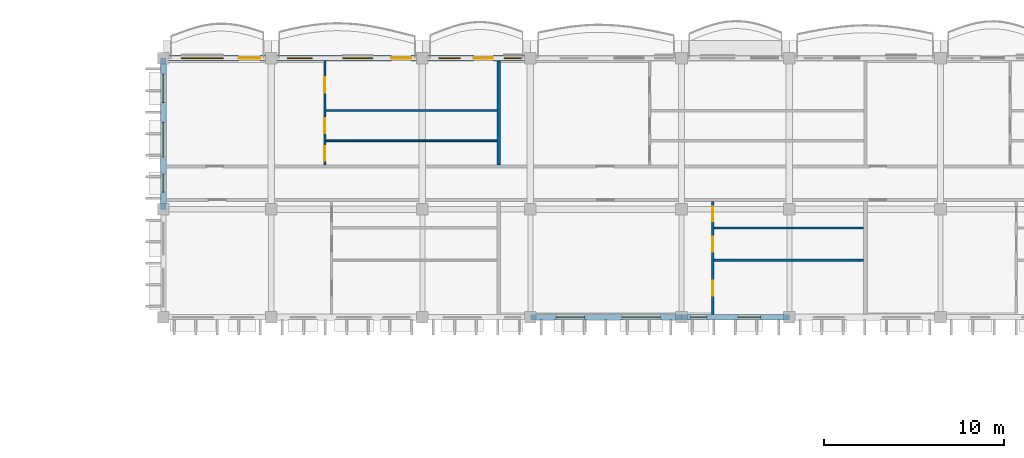
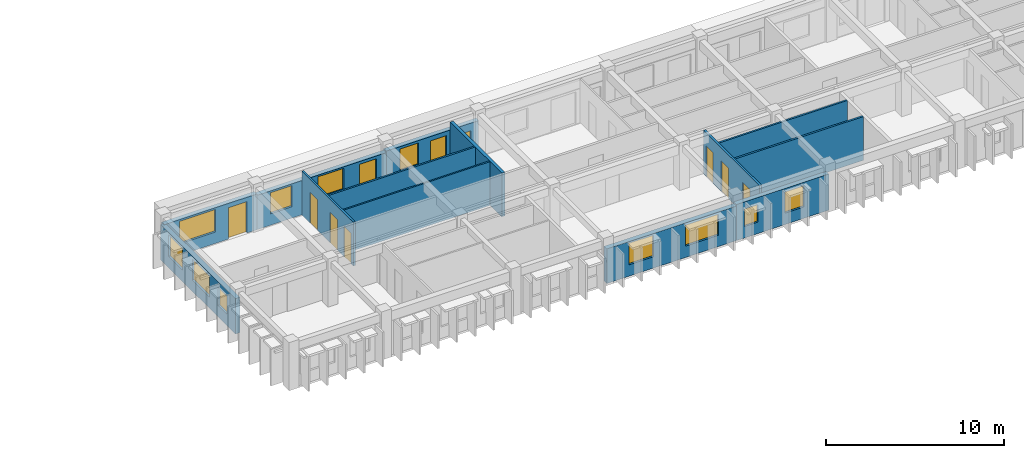
# One storey, part 25 of 66: 13 walls, 12 windows, 9 doors, 21 openings.
"""IFC4 building model written with IfcOpenShell, lengths in metres."""

from ifc_helpers import new_model, si_unit, direction, frame, frame_2d, origin, place, context, subcontext, project, spatial, rectangle, extrude, material, layer, layer_set, type_object, element, fill, save


model = new_model("IFC4")

# Units and contexts
model_context = context("Model", 3, precision=1e-05, world=origin(), true_north=direction((0.0, 1.0)))
body_context = subcontext(model_context, "Body", "Model", "MODEL_VIEW")
ifc_project = project(units=[si_unit("LENGTHUNIT", "METRE"), si_unit("AREAUNIT", "SQUARE_METRE"), si_unit("VOLUMEUNIT", "CUBIC_METRE"), si_unit("PLANEANGLEUNIT", "RADIAN"), si_unit("MASSUNIT", "GRAM", prefix="KILO"), si_unit("THERMODYNAMICTEMPERATUREUNIT", "KELVIN")], contexts=[model_context])

# Site, building, storey
site_placement = place(None, origin())
site = spatial("IfcSite", under=ifc_project, at=site_placement, CompositionType="ELEMENT")
building_placement = place(site_placement, origin())
building = spatial("IfcBuilding", under=site, at=building_placement, Name="Thalorik Housing Commons", CompositionType="ELEMENT")
storey_placement = place(building_placement, frame((0.0, 0.0, 21.300048828125)))
storey = spatial("IfcBuildingStorey", under=building, at=storey_placement, Name="L06", CompositionType="ELEMENT", Elevation=21.300048828125)

# Wall, openings, door, windows
ifc_material_1 = material(Name="White precast concrete C40/50", Category="concrete")
ifc_layer_1 = layer(ifc_material_1, 0.304931640625, Name="White precast concrete C40/50", Category="concrete")
ifc_layer_set_1 = layer_set([ifc_layer_1], Name="White precast concrete C40/50")
wall_type_1 = type_object("IfcWallType", Name="ARC-WAL-EXT-305", PredefinedType="STANDARD", material=ifc_layer_set_1)
wall_1_placement = place(storey_placement, frame((100.800048828125, 123.60009765625, 0.0), z_axis=(0.0, 0.0, 1.0), x_axis=(-1.0, 0.0, 0.0)))
wall_1 = element("IfcWall", 1, at=wall_1_placement, inside=storey, type_object=wall_type_1, Name="L06 Exterior Wall WAL-EXT-L06-B-0609", PredefinedType="STANDARD", context=body_context, shape_type="SweptSolid", body=[
    extrude(rectangle(XDim=6.0, YDim=0.304931640625, at=frame_2d((3.0, 0.0))), origin(), (0.0, 0.0, 1.0), 2.445068359375),
])
opening_1_placement = place(wall_1_placement, frame((2.080078125, 0.0, 0.0)))
opening_1 = element("IfcOpeningElement", 2, at=opening_1_placement, cuts=wall_1, Name="Opening ED-0201", PredefinedType="OPENING", context=body_context, shape_type="SweptSolid", body=[
    extrude(rectangle(XDim=1.050048828125, YDim=2.14990234375, at=frame_2d((0.52490234375, 1.074951171875))), frame((0.0, 0.16259765625, 0.0), z_axis=(0.0, -1.0, 0.0), x_axis=(1.0, 0.0, 0.0)), (0.0, 0.0, 1.0), 0.324951171875),
])
opening_2_placement = place(wall_1_placement, frame((0.4951171875, 0.0, 0.780029296875)))
opening_2 = element("IfcOpeningElement", 3, at=opening_2_placement, cuts=wall_1, Name="Opening W-43", PredefinedType="OPENING", context=body_context, shape_type="SweptSolid", body=[
    extrude(rectangle(XDim=0.949951171875, YDim=1.14990234375, at=frame_2d((0.47509765625, 0.574951171875))), frame((0.0, 0.16259765625, 0.0), z_axis=(0.0, -1.0, 0.0), x_axis=(1.0, 0.0, 0.0)), (0.0, 0.0, 1.0), 0.324951171875),
])
opening_3_placement = place(wall_1_placement, frame((3.89501953125, 0.0, 0.780029296875)))
opening_3 = element("IfcOpeningElement", 4, at=opening_3_placement, cuts=wall_1, Name="Opening W-05", PredefinedType="OPENING", context=body_context, shape_type="SweptSolid", body=[
    extrude(rectangle(XDim=1.199951171875, YDim=1.5, at=frame_2d((0.60009765625, 0.75))), frame((0.0, 0.16259765625, 0.0), z_axis=(0.0, -1.0, 0.0), x_axis=(1.0, 0.0, 0.0)), (0.0, 0.0, 1.0), 0.324951171875),
])
ifc_material_2 = material(Name="Anodised aluminium and laminated safety glass", Category="aluminium")
door_type_1 = type_object("IfcDoorType", Name="ARC-DR-BAL-1050", OperationType="NOTDEFINED", PredefinedType="DOOR", material=ifc_material_2)
door_1_placement = place(opening_1_placement, frame((1.050048828125, 0.0, 0.0), z_axis=(0.0, 0.0, 1.0), x_axis=(-1.0, 0.0, 0.0)))
door_1 = element("IfcDoor", 5, at=door_1_placement, inside=storey, type_object=door_type_1, Name="L06 Block B Balcony Glazed Door", OperationType="SINGLE_SWING_RIGHT", OverallHeight=2.14990234375, OverallWidth=1.050048828125, PredefinedType="DOOR", context=body_context, shape_type="SweptSolid", body=[
    extrude(rectangle(XDim=1.050048828125, YDim=2.14990234375, at=frame_2d((0.52490234375, 1.074951171875))), frame((0.0, 0.02490234375, 0.0), z_axis=(0.0, -1.0, 0.0), x_axis=(1.0, 0.0, 0.0)), (0.0, 0.0, 1.0), 0.050048828125),
])
fill(opening_1, door_1)
ifc_material_3 = material(Name="Anodised aluminium and solar-control low-E glass", Category="aluminium")
window_type_1 = type_object("IfcWindowType", Name="ARC-WIN-05", PartitioningType="SINGLE_PANEL", PredefinedType="WINDOW", material=ifc_material_3)
window_1_placement = place(opening_3_placement, origin())
window_1 = element("IfcWindow", 6, at=window_1_placement, inside=storey, type_object=window_type_1, Name="L06 Facade Window 1104", OverallHeight=1.5, OverallWidth=1.199951171875, PartitioningType="SINGLE_PANEL", PredefinedType="WINDOW", context=body_context, shape_type="SweptSolid", body=[
    extrude(rectangle(XDim=1.199951171875, YDim=1.5, at=frame_2d((0.60009765625, 0.75))), frame((0.0, 0.030029296875, 0.0), z_axis=(0.0, -1.0, 0.0), x_axis=(1.0, 0.0, 0.0)), (0.0, 0.0, 1.0), 0.06005859375),
])
fill(opening_3, window_1)
window_type_2 = type_object("IfcWindowType", Name="ARC-WIN-43", PartitioningType="SINGLE_PANEL", PredefinedType="WINDOW", material=ifc_material_3)
window_2_placement = place(opening_2_placement, origin())
window_2 = element("IfcWindow", 7, at=window_2_placement, inside=storey, type_object=window_type_2, Name="L06 Facade Window 1103", OverallHeight=1.14990234375, OverallWidth=0.949951171875, PartitioningType="SINGLE_PANEL", PredefinedType="WINDOW", context=body_context, shape_type="SweptSolid", body=[
    extrude(rectangle(XDim=0.949951171875, YDim=1.14990234375, at=frame_2d((0.47509765625, 0.574951171875))), frame((0.0, 0.030029296875, 0.0), z_axis=(0.0, -1.0, 0.0), x_axis=(1.0, 0.0, 0.0)), (0.0, 0.0, 1.0), 0.06005859375),
])
fill(opening_2, window_2)

wall_2_placement = place(storey_placement, frame((94.800048828125, 123.60009765625, 0.0), z_axis=(0.0, 0.0, 1.0), x_axis=(-1.0, 0.0, 0.0)))
wall_2 = element("IfcWall", 8, at=wall_2_placement, inside=storey, type_object=wall_type_1, Name="L06 Exterior Wall WAL-EXT-L06-B-0610", PredefinedType="STANDARD", context=body_context, shape_type="SweptSolid", body=[
    extrude(rectangle(XDim=8.400146484375, YDim=0.304931640625, at=frame_2d((4.2001953125, 0.0))), origin(), (0.0, 0.0, 1.0), 2.344970703125),
])
opening_4_placement = place(wall_2_placement, frame((0.6201171875, 0.0, 0.0)))
opening_4 = element("IfcOpeningElement", 9, at=opening_4_placement, cuts=wall_2, Name="Opening ED-0202", PredefinedType="OPENING", context=body_context, shape_type="SweptSolid", body=[
    extrude(rectangle(XDim=1.10009765625, YDim=2.14990234375, at=frame_2d((0.550048828125, 1.074951171875))), frame((0.0, 0.16259765625, 0.0), z_axis=(0.0, -1.0, 0.0), x_axis=(1.0, 0.0, 0.0)), (0.0, 0.0, 1.0), 0.324951171875),
])
opening_5_placement = place(wall_2_placement, frame((2.75341796875, 0.0, 0.780029296875)))
opening_5 = element("IfcOpeningElement", 10, at=opening_5_placement, cuts=wall_2, Name="Opening W-55", PredefinedType="OPENING", context=body_context, shape_type="SweptSolid", body=[
    extrude(rectangle(XDim=1.679931640625, YDim=1.4599609375, at=frame_2d((0.83984375, 0.72998046875))), frame((0.0, 0.16259765625, 0.0), z_axis=(0.0, -1.0, 0.0), x_axis=(1.0, 0.0, 0.0)), (0.0, 0.0, 1.0), 0.324951171875),
])
opening_6_placement = place(wall_2_placement, frame((6.11328125, 0.0, 0.780029296875)))
opening_6 = element("IfcOpeningElement", 11, at=opening_6_placement, cuts=wall_2, Name="Opening W-08", PredefinedType="OPENING", context=body_context, shape_type="SweptSolid", body=[
    extrude(rectangle(XDim=1.39990234375, YDim=1.449951171875, at=frame_2d((0.699951171875, 0.72509765625))), frame((0.0, 0.16259765625, 0.0), z_axis=(0.0, -1.0, 0.0), x_axis=(1.0, 0.0, 0.0)), (0.0, 0.0, 1.0), 0.324951171875),
])
door_type_2 = type_object("IfcDoorType", Name="ARC-DR-BAL-1100", OperationType="NOTDEFINED", PredefinedType="DOOR", material=ifc_material_2)
door_2_placement = place(opening_4_placement, frame((1.10009765625, 0.0, 0.0), z_axis=(0.0, 0.0, 1.0), x_axis=(-1.0, 0.0, 0.0)))
door_2 = element("IfcDoor", 12, at=door_2_placement, inside=storey, type_object=door_type_2, Name="L06 Block B Balcony Glazed Door", OperationType="SINGLE_SWING_LEFT", OverallHeight=2.14990234375, OverallWidth=1.10009765625, PredefinedType="DOOR", context=body_context, shape_type="SweptSolid", body=[
    extrude(rectangle(XDim=1.10009765625, YDim=2.14990234375, at=frame_2d((0.550048828125, 1.074951171875))), frame((0.0, 0.02490234375, 0.0), z_axis=(0.0, -1.0, 0.0), x_axis=(1.0, 0.0, 0.0)), (0.0, 0.0, 1.0), 0.050048828125),
])
fill(opening_4, door_2)
window_type_3 = type_object("IfcWindowType", Name="ARC-WIN-08", PartitioningType="SINGLE_PANEL", PredefinedType="WINDOW", material=ifc_material_3)
window_3_placement = place(opening_6_placement, origin())
window_3 = element("IfcWindow", 13, at=window_3_placement, inside=storey, type_object=window_type_3, Name="L06 Facade Window 1106", OverallHeight=1.449951171875, OverallWidth=1.39990234375, PartitioningType="SINGLE_PANEL", PredefinedType="WINDOW", context=body_context, shape_type="SweptSolid", body=[
    extrude(rectangle(XDim=1.39990234375, YDim=1.449951171875, at=frame_2d((0.699951171875, 0.72509765625))), frame((0.0, 0.030029296875, 0.0), z_axis=(0.0, -1.0, 0.0), x_axis=(1.0, 0.0, 0.0)), (0.0, 0.0, 1.0), 0.06005859375),
])
fill(opening_6, window_3)
window_type_4 = type_object("IfcWindowType", Name="ARC-WIN-55", PartitioningType="DOUBLE_PANEL_VERTICAL", PredefinedType="WINDOW", material=ifc_material_3)
window_4_placement = place(opening_5_placement, origin())
window_4 = element("IfcWindow", 14, at=window_4_placement, inside=storey, type_object=window_type_4, Name="L06 Facade Window 1105", OverallHeight=1.4599609375, OverallWidth=1.679931640625, PartitioningType="DOUBLE_PANEL_VERTICAL", PredefinedType="WINDOW", context=body_context, shape_type="SweptSolid", body=[
    extrude(rectangle(XDim=1.679931640625, YDim=1.4599609375, at=frame_2d((0.83984375, 0.72998046875))), frame((0.0, 0.030029296875, 0.0), z_axis=(0.0, -1.0, 0.0), x_axis=(1.0, 0.0, 0.0)), (0.0, 0.0, 1.0), 0.06005859375),
])
fill(opening_5, window_4)

# Wall, openings, door, window
wall_3_placement = place(storey_placement, frame((86.39990234375, 123.60009765625, 0.0), z_axis=(0.0, 0.0, 1.0), x_axis=(-1.0, 0.0, 0.0)))
wall_3 = element("IfcWall", 15, at=wall_3_placement, inside=storey, type_object=wall_type_1, Name="L06 Exterior Wall WAL-EXT-L06-B-0611", PredefinedType="STANDARD", context=body_context, shape_type="SweptSolid", body=[
    extrude(rectangle(XDim=6.0, YDim=0.304931640625, at=frame_2d((3.0, 0.0))), origin(), (0.0, 0.0, 1.0), 2.445068359375),
])
opening_7_placement = place(wall_3_placement, frame((0.6201171875, 0.0, 0.0)))
opening_7 = element("IfcOpeningElement", 16, at=opening_7_placement, cuts=wall_3, Name="Opening ED-0203", PredefinedType="OPENING", context=body_context, shape_type="SweptSolid", body=[
    extrude(rectangle(XDim=1.199951171875, YDim=2.14990234375, at=frame_2d((0.60009765625, 1.074951171875))), frame((0.0, 0.16259765625, 0.0), z_axis=(0.0, -1.0, 0.0), x_axis=(1.0, 0.0, 0.0)), (0.0, 0.0, 1.0), 0.324951171875),
])
opening_8_placement = place(wall_3_placement, frame((2.6650390625, 0.0, 0.780029296875)))
opening_8 = element("IfcOpeningElement", 17, at=opening_8_placement, cuts=wall_3, Name="Opening W-33", PredefinedType="OPENING", context=body_context, shape_type="SweptSolid", body=[
    extrude(rectangle(XDim=2.35009765625, YDim=1.550048828125, at=frame_2d((1.175048828125, 0.77490234375))), frame((0.0, 0.16259765625, 0.0), z_axis=(0.0, -1.0, 0.0), x_axis=(1.0, 0.0, 0.0)), (0.0, 0.0, 1.0), 0.324951171875),
])
door_type_3 = type_object("IfcDoorType", Name="ARC-DR-BAL-1200", OperationType="NOTDEFINED", PredefinedType="DOOR", material=ifc_material_2)
door_3_placement = place(opening_7_placement, frame((1.199951171875, 0.0, 0.0), z_axis=(0.0, 0.0, 1.0), x_axis=(-1.0, 0.0, 0.0)))
door_3 = element("IfcDoor", 18, at=door_3_placement, inside=storey, type_object=door_type_3, Name="L06 Block B Balcony Glazed Door", OperationType="SINGLE_SWING_RIGHT", OverallHeight=2.14990234375, OverallWidth=1.199951171875, PredefinedType="DOOR", context=body_context, shape_type="SweptSolid", body=[
    extrude(rectangle(XDim=1.199951171875, YDim=2.14990234375, at=frame_2d((0.60009765625, 1.074951171875))), frame((0.0, 0.02490234375, 0.0), z_axis=(0.0, -1.0, 0.0), x_axis=(1.0, 0.0, 0.0)), (0.0, 0.0, 1.0), 0.050048828125),
])
fill(opening_7, door_3)
window_type_5 = type_object("IfcWindowType", Name="ARC-WIN-33", PartitioningType="DOUBLE_PANEL_VERTICAL", PredefinedType="WINDOW", material=ifc_material_3)
window_5_placement = place(opening_8_placement, origin())
window_5 = element("IfcWindow", 19, at=window_5_placement, inside=storey, type_object=window_type_5, Name="L06 Facade Window 1107", OverallHeight=1.550048828125, OverallWidth=2.35009765625, PartitioningType="DOUBLE_PANEL_VERTICAL", PredefinedType="WINDOW", context=body_context, shape_type="SweptSolid", body=[
    extrude(rectangle(XDim=2.35009765625, YDim=1.550048828125, at=frame_2d((1.175048828125, 0.77490234375))), frame((0.0, 0.030029296875, 0.0), z_axis=(0.0, -1.0, 0.0), x_axis=(1.0, 0.0, 0.0)), (0.0, 0.0, 1.0), 0.06005859375),
])
fill(opening_8, window_5)

# Wall, openings, windows
wall_4_placement = place(storey_placement, frame((80.39990234375, 123.60009765625, 0.0), z_axis=(0.0, 0.0, 1.0), x_axis=(0.0, -1.0, 0.0)))
wall_4 = element("IfcWall", 20, at=wall_4_placement, inside=storey, type_object=wall_type_1, Name="L06 Exterior Wall WAL-EXT-L06-B-0612", PredefinedType="STANDARD", context=body_context, shape_type="SweptSolid", body=[
    extrude(rectangle(XDim=8.400146484375, YDim=0.304931640625, at=frame_2d((4.2001953125, 0.0))), origin(), (0.0, 0.0, 1.0), 2.425048828125),
])
opening_9_placement = place(wall_4_placement, frame((0.892578125, 0.0, 0.780029296875)))
opening_9 = element("IfcOpeningElement", 21, at=opening_9_placement, cuts=wall_4, Name="Opening W-53", PredefinedType="OPENING", context=body_context, shape_type="SweptSolid", body=[
    extrude(rectangle(XDim=1.580078125, YDim=1.47998046875, at=frame_2d((0.7900390625, 0.739990234375))), frame((0.0, 0.16259765625, 0.0), z_axis=(0.0, -1.0, 0.0), x_axis=(1.0, 0.0, 0.0)), (0.0, 0.0, 1.0), 0.324951171875),
])
opening_10_placement = place(wall_4_placement, frame((3.5673828125, 0.0, 0.780029296875)))
opening_10 = element("IfcOpeningElement", 22, at=opening_10_placement, cuts=wall_4, Name="Opening W-60", PredefinedType="OPENING", context=body_context, shape_type="SweptSolid", body=[
    extrude(rectangle(XDim=1.919921875, YDim=1.43994140625, at=frame_2d((0.9599609375, 0.719970703125))), frame((0.0, 0.16259765625, 0.0), z_axis=(0.0, -1.0, 0.0), x_axis=(1.0, 0.0, 0.0)), (0.0, 0.0, 1.0), 0.324951171875),
])
opening_11_placement = place(wall_4_placement, frame((6.449951171875, 0.0, 0.780029296875)))
opening_11 = element("IfcOpeningElement", 23, at=opening_11_placement, cuts=wall_4, Name="Opening W-02", PredefinedType="OPENING", context=body_context, shape_type="SweptSolid", body=[
    extrude(rectangle(XDim=1.0, YDim=1.25, at=frame_2d((0.5, 0.625))), frame((0.0, 0.16259765625, 0.0), z_axis=(0.0, -1.0, 0.0), x_axis=(1.0, 0.0, 0.0)), (0.0, 0.0, 1.0), 0.324951171875),
])
window_type_6 = type_object("IfcWindowType", Name="ARC-WIN-02", PartitioningType="SINGLE_PANEL", PredefinedType="WINDOW", material=ifc_material_3)
window_6_placement = place(opening_11_placement, origin())
window_6 = element("IfcWindow", 24, at=window_6_placement, inside=storey, type_object=window_type_6, Name="L06 Facade Window 1110", OverallHeight=1.25, OverallWidth=1.0, PartitioningType="SINGLE_PANEL", PredefinedType="WINDOW", context=body_context, shape_type="SweptSolid", body=[
    extrude(rectangle(XDim=1.0, YDim=1.25, at=frame_2d((0.5, 0.625))), frame((0.0, 0.030029296875, 0.0), z_axis=(0.0, -1.0, 0.0), x_axis=(1.0, 0.0, 0.0)), (0.0, 0.0, 1.0), 0.06005859375),
])
fill(opening_11, window_6)
window_type_7 = type_object("IfcWindowType", Name="ARC-WIN-53", PartitioningType="SINGLE_PANEL", PredefinedType="WINDOW", material=ifc_material_3)
window_7_placement = place(opening_9_placement, origin())
window_7 = element("IfcWindow", 25, at=window_7_placement, inside=storey, type_object=window_type_7, Name="L06 Facade Window 1108", OverallHeight=1.47998046875, OverallWidth=1.580078125, PartitioningType="SINGLE_PANEL", PredefinedType="WINDOW", context=body_context, shape_type="SweptSolid", body=[
    extrude(rectangle(XDim=1.580078125, YDim=1.47998046875, at=frame_2d((0.7900390625, 0.739990234375))), frame((0.0, 0.030029296875, 0.0), z_axis=(0.0, -1.0, 0.0), x_axis=(1.0, 0.0, 0.0)), (0.0, 0.0, 1.0), 0.06005859375),
])
fill(opening_9, window_7)
window_type_8 = type_object("IfcWindowType", Name="ARC-WIN-60", PartitioningType="DOUBLE_PANEL_VERTICAL", PredefinedType="WINDOW", material=ifc_material_3)
window_8_placement = place(opening_10_placement, origin())
window_8 = element("IfcWindow", 26, at=window_8_placement, inside=storey, type_object=window_type_8, Name="L06 Facade Window 1109", OverallHeight=1.43994140625, OverallWidth=1.919921875, PartitioningType="DOUBLE_PANEL_VERTICAL", PredefinedType="WINDOW", context=body_context, shape_type="SweptSolid", body=[
    extrude(rectangle(XDim=1.919921875, YDim=1.43994140625, at=frame_2d((0.9599609375, 0.719970703125))), frame((0.0, 0.030029296875, 0.0), z_axis=(0.0, -1.0, 0.0), x_axis=(1.0, 0.0, 0.0)), (0.0, 0.0, 1.0), 0.06005859375),
])
fill(opening_10, window_8)

wall_5_placement = place(storey_placement, frame((100.800048828125, 109.199951171875, 0.0), z_axis=(0.0, 0.0, 1.0), x_axis=(1.0, 0.0, 0.0)))
wall_5 = element("IfcWall", 27, at=wall_5_placement, inside=storey, type_object=wall_type_1, Name="L06 Exterior Wall WAL-EXT-L06-B-0617", PredefinedType="STANDARD", context=body_context, shape_type="SweptSolid", body=[
    extrude(rectangle(XDim=8.39990234375, YDim=0.304931640625, at=frame_2d((4.199951171875, 0.0))), origin(), (0.0, 0.0, 1.0), 2.375),
])
opening_12_placement = place(wall_5_placement, frame((1.43994140625, 0.0, 0.780029296875)))
opening_12 = element("IfcOpeningElement", 28, at=opening_12_placement, cuts=wall_5, Name="Opening W-53", PredefinedType="OPENING", context=body_context, shape_type="SweptSolid", body=[
    extrude(rectangle(XDim=1.580078125, YDim=1.47998046875, at=frame_2d((0.7900390625, 0.739990234375))), frame((0.0, 0.16259765625, 0.0), z_axis=(0.0, -1.0, 0.0), x_axis=(1.0, 0.0, 0.0)), (0.0, 0.0, 1.0), 0.324951171875),
])
opening_13_placement = place(wall_5_placement, frame((5.110107421875, 0.0, 0.780029296875)))
opening_13 = element("IfcOpeningElement", 29, at=opening_13_placement, cuts=wall_5, Name="Opening W-64", PredefinedType="OPENING", context=body_context, shape_type="SweptSolid", body=[
    extrude(rectangle(XDim=2.1201171875, YDim=1.43994140625, at=frame_2d((1.06005859375, 0.719970703125))), frame((0.0, 0.16259765625, 0.0), z_axis=(0.0, -1.0, 0.0), x_axis=(1.0, 0.0, 0.0)), (0.0, 0.0, 1.0), 0.324951171875),
])
window_9_placement = place(opening_12_placement, origin())
window_9 = element("IfcWindow", 30, at=window_9_placement, inside=storey, type_object=window_type_7, Name="L06 Facade Window 1120", OverallHeight=1.47998046875, OverallWidth=1.580078125, PartitioningType="SINGLE_PANEL", PredefinedType="WINDOW", context=body_context, shape_type="SweptSolid", body=[
    extrude(rectangle(XDim=1.580078125, YDim=1.47998046875, at=frame_2d((0.7900390625, 0.739990234375))), frame((0.0, 0.030029296875, 0.0), z_axis=(0.0, -1.0, 0.0), x_axis=(1.0, 0.0, 0.0)), (0.0, 0.0, 1.0), 0.06005859375),
])
fill(opening_12, window_9)
window_type_9 = type_object("IfcWindowType", Name="ARC-WIN-64", PartitioningType="DOUBLE_PANEL_VERTICAL", PredefinedType="WINDOW", material=ifc_material_3)
window_10_placement = place(opening_13_placement, origin())
window_10 = element("IfcWindow", 31, at=window_10_placement, inside=storey, type_object=window_type_9, Name="L06 Facade Window 1121", OverallHeight=1.43994140625, OverallWidth=2.1201171875, PartitioningType="DOUBLE_PANEL_VERTICAL", PredefinedType="WINDOW", context=body_context, shape_type="SweptSolid", body=[
    extrude(rectangle(XDim=2.1201171875, YDim=1.43994140625, at=frame_2d((1.06005859375, 0.719970703125))), frame((0.0, 0.030029296875, 0.0), z_axis=(0.0, -1.0, 0.0), x_axis=(1.0, 0.0, 0.0)), (0.0, 0.0, 1.0), 0.06005859375),
])
fill(opening_13, window_10)

wall_6_placement = place(storey_placement, frame((109.199951171875, 109.199951171875, 0.0), z_axis=(0.0, 0.0, 1.0), x_axis=(1.0, 0.0, 0.0)))
wall_6 = element("IfcWall", 32, at=wall_6_placement, inside=storey, type_object=wall_type_1, Name="L06 Exterior Wall WAL-EXT-L06-B-0618", PredefinedType="STANDARD", context=body_context, shape_type="SweptSolid", body=[
    extrude(rectangle(XDim=6.0, YDim=0.304931640625, at=frame_2d((3.0, 0.0))), origin(), (0.0, 0.0, 1.0), 2.474853515625),
])
opening_14_placement = place(wall_6_placement, frame((0.514892578125, 0.0, 0.780029296875)))
opening_14 = element("IfcOpeningElement", 33, at=opening_14_placement, cuts=wall_6, Name="Opening W-01", PredefinedType="OPENING", context=body_context, shape_type="SweptSolid", body=[
    extrude(rectangle(XDim=0.89990234375, YDim=1.199951171875, at=frame_2d((0.449951171875, 0.60009765625))), frame((0.0, 0.16259765625, 0.0), z_axis=(0.0, -1.0, 0.0), x_axis=(1.0, 0.0, 0.0)), (0.0, 0.0, 1.0), 0.324951171875),
])
opening_15_placement = place(wall_6_placement, frame((3.14990234375, 0.0, 0.780029296875)))
opening_15 = element("IfcOpeningElement", 34, at=opening_15_placement, cuts=wall_6, Name="Opening W-47", PredefinedType="OPENING", context=body_context, shape_type="SweptSolid", body=[
    extrude(rectangle(XDim=1.25, YDim=1.449951171875, at=frame_2d((0.625, 0.72509765625))), frame((0.0, 0.16259765625, 0.0), z_axis=(0.0, -1.0, 0.0), x_axis=(1.0, 0.0, 0.0)), (0.0, 0.0, 1.0), 0.324951171875),
])
window_type_10 = type_object("IfcWindowType", Name="ARC-WIN-01", PartitioningType="SINGLE_PANEL", PredefinedType="WINDOW", material=ifc_material_3)
window_11_placement = place(opening_14_placement, origin())
window_11 = element("IfcWindow", 35, at=window_11_placement, inside=storey, type_object=window_type_10, Name="L06 Facade Window 1122", OverallHeight=1.199951171875, OverallWidth=0.89990234375, PartitioningType="SINGLE_PANEL", PredefinedType="WINDOW", context=body_context, shape_type="SweptSolid", body=[
    extrude(rectangle(XDim=0.89990234375, YDim=1.199951171875, at=frame_2d((0.449951171875, 0.60009765625))), frame((0.0, 0.030029296875, 0.0), z_axis=(0.0, -1.0, 0.0), x_axis=(1.0, 0.0, 0.0)), (0.0, 0.0, 1.0), 0.06005859375),
])
fill(opening_14, window_11)
window_type_11 = type_object("IfcWindowType", Name="ARC-WIN-47", PartitioningType="SINGLE_PANEL", PredefinedType="WINDOW", material=ifc_material_3)
window_12_placement = place(opening_15_placement, origin())
window_12 = element("IfcWindow", 36, at=window_12_placement, inside=storey, type_object=window_type_11, Name="L06 Facade Window 1123", OverallHeight=1.449951171875, OverallWidth=1.25, PartitioningType="SINGLE_PANEL", PredefinedType="WINDOW", context=body_context, shape_type="SweptSolid", body=[
    extrude(rectangle(XDim=1.25, YDim=1.449951171875, at=frame_2d((0.625, 0.72509765625))), frame((0.0, 0.030029296875, 0.0), z_axis=(0.0, -1.0, 0.0), x_axis=(1.0, 0.0, 0.0)), (0.0, 0.0, 1.0), 0.06005859375),
])
fill(opening_15, window_12)

# Walls
ifc_material_4 = material(Name="Gypsum light stud partition", Category="masonry")
ifc_layer_2 = layer(ifc_material_4, 0.10009765625, Name="Gypsum light stud partition", Category="masonry")
ifc_layer_set_2 = layer_set([ifc_layer_2], Name="Gypsum light stud partition")
wall_type_2 = type_object("IfcWallType", Name="ARC-WAL-PART-100", PredefinedType="PARTITIONING", material=ifc_layer_set_2)
wall_7_placement = place(storey_placement, frame((89.44775390625, 119.010498046875, 0.0), z_axis=(0.0, 0.0, 1.0), x_axis=(1.0, 0.0, 0.0)))
element("IfcWall", 37, at=wall_7_placement, inside=storey, type_object=wall_type_2, Name="L06 Unit 1B Wet Wall", PredefinedType="PARTITIONING", context=body_context, shape_type="SweptSolid", body=[
    extrude(rectangle(XDim=9.500244140625, YDim=0.10009765625, at=frame_2d((4.75, 0.0))), origin(), (0.0, 0.0, 1.0), 3.0),
])
ifc_material_5 = material(Name="Gypsum moisture-resistant partition", Category="masonry")
ifc_layer_3 = layer(ifc_material_5, 0.114990234375, Name="Gypsum moisture-resistant partition", Category="masonry")
ifc_layer_set_3 = layer_set([ifc_layer_3], Name="Gypsum moisture-resistant partition")
wall_type_3 = type_object("IfcWallType", Name="ARC-WAL-PART-115", PredefinedType="PARTITIONING", material=ifc_layer_set_3)
wall_8_placement = place(storey_placement, frame((89.44775390625, 120.67919921875, 0.0), z_axis=(0.0, 0.0, 1.0), x_axis=(1.0, 0.0, 0.0)))
element("IfcWall", 38, at=wall_8_placement, inside=storey, type_object=wall_type_3, Name="L06 Unit 1B Bedroom Partition", PredefinedType="PARTITIONING", context=body_context, shape_type="SweptSolid", body=[
    extrude(rectangle(XDim=9.500244140625, YDim=0.114990234375, at=frame_2d((4.75, 0.0))), origin(), (0.0, 0.0, 1.0), 3.0),
])
wall_9_placement = place(storey_placement, frame((111.011962890625, 114.169677734375, 0.0), z_axis=(0.0, 0.0, 1.0), x_axis=(1.0, 0.0, 0.0)))
element("IfcWall", 39, at=wall_9_placement, inside=storey, type_object=wall_type_3, Name="L06 Unit 2 Wet Wall", PredefinedType="PARTITIONING", context=body_context, shape_type="SweptSolid", body=[
    extrude(rectangle(XDim=8.30615234375, YDim=0.114990234375, at=frame_2d((4.153076171875, 0.0))), origin(), (0.0, 0.0, 1.0), 3.0),
])

# Wall, openings, doors
ifc_material_6 = material(Name="Gypsum acoustic stud partition", Category="masonry")
ifc_layer_4 = layer(ifc_material_6, 0.125, Name="Gypsum acoustic stud partition", Category="masonry")
ifc_layer_set_4 = layer_set([ifc_layer_4], Name="Gypsum acoustic stud partition")
wall_type_4 = type_object("IfcWallType", Name="ARC-WAL-PART-125", PredefinedType="PARTITIONING", material=ifc_layer_set_4)
wall_10_placement = place(storey_placement, frame((89.38330078125, 117.656982421875, 0.0), z_axis=(0.0, 0.0, 1.0), x_axis=(0.0, 1.0, 0.0)))
wall_10 = element("IfcWall", 40, at=wall_10_placement, inside=storey, type_object=wall_type_4, Name="L06 Unit 1B Spine Partition", PredefinedType="PARTITIONING", context=body_context, shape_type="SweptSolid", body=[
    extrude(rectangle(XDim=5.78857421875, YDim=0.125, at=frame_2d((2.894287109375, 0.0))), origin(), (0.0, 0.0, 1.0), 3.0),
])
opening_16_placement = place(wall_10_placement, frame((0.23828125, 0.0, 0.0)))
opening_16 = element("IfcOpeningElement", 41, at=opening_16_placement, cuts=wall_10, Name="Opening ID-1224", PredefinedType="OPENING", context=body_context, shape_type="SweptSolid", body=[
    extrude(rectangle(XDim=0.800048828125, YDim=2.10009765625, at=frame_2d((0.39990234375, 1.050048828125))), frame((0.0, 0.072509765625, 0.0), z_axis=(0.0, -1.0, 0.0), x_axis=(1.0, 0.0, 0.0)), (0.0, 0.0, 1.0), 0.14501953125),
])
opening_17_placement = place(wall_10_placement, frame((1.7626953125, 0.0, 0.0)))
opening_17 = element("IfcOpeningElement", 42, at=opening_17_placement, cuts=wall_10, Name="Opening ID-1225", PredefinedType="OPENING", context=body_context, shape_type="SweptSolid", body=[
    extrude(rectangle(XDim=0.85009765625, YDim=2.10009765625, at=frame_2d((0.425048828125, 1.050048828125))), frame((0.0, 0.072509765625, 0.0), z_axis=(0.0, -1.0, 0.0), x_axis=(1.0, 0.0, 0.0)), (0.0, 0.0, 1.0), 0.14501953125),
])
opening_18_placement = place(wall_10_placement, frame((4.027587890625, 0.0, 0.0)))
opening_18 = element("IfcOpeningElement", 43, at=opening_18_placement, cuts=wall_10, Name="Opening ID-1226", PredefinedType="OPENING", context=body_context, shape_type="SweptSolid", body=[
    extrude(rectangle(XDim=0.85009765625, YDim=2.10009765625, at=frame_2d((0.425048828125, 1.050048828125))), frame((0.0, 0.072509765625, 0.0), z_axis=(0.0, -1.0, 0.0), x_axis=(1.0, 0.0, 0.0)), (0.0, 0.0, 1.0), 0.14501953125),
])
ifc_material_7 = material(Name="Moisture-resistant timber", Category="wood")
door_type_4 = type_object("IfcDoorType", Name="ARC-DR-INT-800", OperationType="NOTDEFINED", PredefinedType="DOOR", material=ifc_material_7)
door_4_placement = place(opening_16_placement, origin())
door_4 = element("IfcDoor", 44, at=door_4_placement, inside=storey, type_object=door_type_4, Name="L06 Accessible Bathroom Door", OperationType="SINGLE_SWING_LEFT", OverallHeight=2.10009765625, OverallWidth=0.800048828125, PredefinedType="DOOR", context=body_context, shape_type="SweptSolid", body=[
    extrude(rectangle(XDim=0.800048828125, YDim=2.10009765625, at=frame_2d((0.39990234375, 1.050048828125))), frame((0.0, 0.02490234375, 0.0), z_axis=(0.0, -1.0, 0.0), x_axis=(1.0, 0.0, 0.0)), (0.0, 0.0, 1.0), 0.050048828125),
])
fill(opening_16, door_4)
ifc_material_8 = material(Name="Engineered oak timber", Category="wood")
door_type_5 = type_object("IfcDoorType", Name="ARC-DR-INT-850", OperationType="NOTDEFINED", PredefinedType="DOOR", material=ifc_material_8)
door_5_placement = place(opening_17_placement, origin())
door_5 = element("IfcDoor", 45, at=door_5_placement, inside=storey, type_object=door_type_5, Name="L06 Eat-In Kitchen Door", OperationType="SINGLE_SWING_RIGHT", OverallHeight=2.10009765625, OverallWidth=0.85009765625, PredefinedType="DOOR", context=body_context, shape_type="SweptSolid", body=[
    extrude(rectangle(XDim=0.85009765625, YDim=2.10009765625, at=frame_2d((0.425048828125, 1.050048828125))), frame((0.0, 0.02490234375, 0.0), z_axis=(0.0, -1.0, 0.0), x_axis=(1.0, 0.0, 0.0)), (0.0, 0.0, 1.0), 0.050048828125),
])
fill(opening_17, door_5)
door_6_placement = place(opening_18_placement, origin())
door_6 = element("IfcDoor", 46, at=door_6_placement, inside=storey, type_object=door_type_5, Name="L06 Single Bedroom Door", OperationType="SINGLE_SWING_LEFT", OverallHeight=2.10009765625, OverallWidth=0.85009765625, PredefinedType="DOOR", context=body_context, shape_type="SweptSolid", body=[
    extrude(rectangle(XDim=0.85009765625, YDim=2.10009765625, at=frame_2d((0.425048828125, 1.050048828125))), frame((0.0, 0.02490234375, 0.0), z_axis=(0.0, -1.0, 0.0), x_axis=(1.0, 0.0, 0.0)), (0.0, 0.0, 1.0), 0.050048828125),
])
fill(opening_18, door_6)

# Wall
wall_11_placement = place(storey_placement, frame((111.011962890625, 112.36083984375, 0.0), z_axis=(0.0, 0.0, 1.0), x_axis=(1.0, 0.0, 0.0)))
element("IfcWall", 47, at=wall_11_placement, inside=storey, type_object=wall_type_4, Name="L06 Unit 2 Bedroom Partition", PredefinedType="PARTITIONING", context=body_context, shape_type="SweptSolid", body=[
    extrude(rectangle(XDim=8.30615234375, YDim=0.125, at=frame_2d((4.153076171875, 0.0))), origin(), (0.0, 0.0, 1.0), 3.0),
])

# Wall, openings, doors
ifc_material_9 = material(Name="Ceramic masonry partition wall", Category="masonry")
ifc_layer_5 = layer(ifc_material_9, 0.139892578125, Name="Ceramic masonry partition wall", Category="masonry")
ifc_layer_set_5 = layer_set([ifc_layer_5], Name="Ceramic masonry partition wall")
wall_type_5 = type_object("IfcWallType", Name="ARC-WAL-PART-140", PredefinedType="PARTITIONING", material=ifc_layer_set_5)
wall_12_placement = place(storey_placement, frame((110.93994140625, 109.3544921875, 0.0), z_axis=(0.0, 0.0, 1.0), x_axis=(0.0, 1.0, 0.0)))
wall_12 = element("IfcWall", 48, at=wall_12_placement, inside=storey, type_object=wall_type_5, Name="L06 Unit 2 Spine Partition", PredefinedType="PARTITIONING", context=body_context, shape_type="SweptSolid", body=[
    extrude(rectangle(XDim=6.281005859375, YDim=0.139892578125, at=frame_2d((3.140625, 0.0))), origin(), (0.0, 0.0, 1.0), 3.0),
])
opening_19_placement = place(wall_12_placement, frame((1.031005859375, 0.0, 0.0)))
opening_19 = element("IfcOpeningElement", 49, at=opening_19_placement, cuts=wall_12, Name="Opening ID-1227", PredefinedType="OPENING", context=body_context, shape_type="SweptSolid", body=[
    extrude(rectangle(XDim=0.85009765625, YDim=2.10009765625, at=frame_2d((0.425048828125, 1.050048828125))), frame((0.0, 0.080078125, 0.0), z_axis=(0.0, -1.0, 0.0), x_axis=(1.0, 0.0, 0.0)), (0.0, 0.0, 1.0), 0.159912109375),
])
opening_20_placement = place(wall_12_placement, frame((3.485595703125, 0.0, 0.0)))
opening_20 = element("IfcOpeningElement", 50, at=opening_20_placement, cuts=wall_12, Name="Opening ID-1228", PredefinedType="OPENING", context=body_context, shape_type="SweptSolid", body=[
    extrude(rectangle(XDim=0.820068359375, YDim=2.080078125, at=frame_2d((0.41015625, 1.0400390625))), frame((0.0, 0.080078125, 0.0), z_axis=(0.0, -1.0, 0.0), x_axis=(1.0, 0.0, 0.0)), (0.0, 0.0, 1.0), 0.159912109375),
])
opening_21_placement = place(wall_12_placement, frame((5.190185546875, 0.0, 0.0)))
opening_21 = element("IfcOpeningElement", 51, at=opening_21_placement, cuts=wall_12, Name="Opening ID-1229", PredefinedType="OPENING", context=body_context, shape_type="SweptSolid", body=[
    extrude(rectangle(XDim=0.800048828125, YDim=2.10009765625, at=frame_2d((0.39990234375, 1.050048828125))), frame((0.0, 0.080078125, 0.0), z_axis=(0.0, -1.0, 0.0), x_axis=(1.0, 0.0, 0.0)), (0.0, 0.0, 1.0), 0.159912109375),
])
door_7_placement = place(opening_21_placement, origin())
door_7 = element("IfcDoor", 52, at=door_7_placement, inside=storey, type_object=door_type_4, Name="L06 Flat Bathroom Door", OperationType="SINGLE_SWING_RIGHT", OverallHeight=2.10009765625, OverallWidth=0.800048828125, PredefinedType="DOOR", context=body_context, shape_type="SweptSolid", body=[
    extrude(rectangle(XDim=0.800048828125, YDim=2.10009765625, at=frame_2d((0.39990234375, 1.050048828125))), frame((0.0, 0.02490234375, 0.0), z_axis=(0.0, -1.0, 0.0), x_axis=(1.0, 0.0, 0.0)), (0.0, 0.0, 1.0), 0.050048828125),
])
fill(opening_21, door_7)
door_type_6 = type_object("IfcDoorType", Name="ARC-DR-INT-820", OperationType="NOTDEFINED", PredefinedType="DOOR", material=ifc_material_8)
door_8_placement = place(opening_20_placement, origin())
door_8 = element("IfcDoor", 53, at=door_8_placement, inside=storey, type_object=door_type_6, Name="L06 Galley Kitchen Door", OperationType="SINGLE_SWING_LEFT", OverallHeight=2.080078125, OverallWidth=0.820068359375, PredefinedType="DOOR", context=body_context, shape_type="SweptSolid", body=[
    extrude(rectangle(XDim=0.820068359375, YDim=2.080078125, at=frame_2d((0.41015625, 1.0400390625))), frame((0.0, 0.02490234375, 0.0), z_axis=(0.0, -1.0, 0.0), x_axis=(1.0, 0.0, 0.0)), (0.0, 0.0, 1.0), 0.050048828125),
])
fill(opening_20, door_8)
door_9_placement = place(opening_19_placement, origin())
door_9 = element("IfcDoor", 54, at=door_9_placement, inside=storey, type_object=door_type_5, Name="L06 Double Bedroom Door", OperationType="SINGLE_SWING_RIGHT", OverallHeight=2.10009765625, OverallWidth=0.85009765625, PredefinedType="DOOR", context=body_context, shape_type="SweptSolid", body=[
    extrude(rectangle(XDim=0.85009765625, YDim=2.10009765625, at=frame_2d((0.425048828125, 1.050048828125))), frame((0.0, 0.02490234375, 0.0), z_axis=(0.0, -1.0, 0.0), x_axis=(1.0, 0.0, 0.0)), (0.0, 0.0, 1.0), 0.050048828125),
])
fill(opening_19, door_9)

# Wall
ifc_material_10 = material(Name="Precast concrete C40/50 acoustic wall", Category="concrete")
ifc_layer_6 = layer(ifc_material_10, 0.199951171875, Name="Precast concrete C40/50 acoustic wall", Category="concrete")
ifc_layer_set_6 = layer_set([ifc_layer_6], Name="Precast concrete C40/50 acoustic wall")
wall_type_6 = type_object("IfcWallType", Name="ARC-WAL-PARTY-200", PredefinedType="PARTITIONING", material=ifc_layer_set_6)
wall_13_placement = place(storey_placement, frame((99.050048828125, 117.656982421875, 0.0), z_axis=(0.0, 0.0, 1.0), x_axis=(0.0, 1.0, 0.0)))
element("IfcWall", 55, at=wall_13_placement, inside=storey, type_object=wall_type_6, Name="L06 Inter-Tenancy Wall 1B", PredefinedType="PARTITIONING", context=body_context, shape_type="SweptSolid", body=[
    extrude(rectangle(XDim=5.78857421875, YDim=0.199951171875, at=frame_2d((2.894287109375, 0.0))), origin(), (0.0, 0.0, 1.0), 3.0),
])

save(model, "model.ifc")
